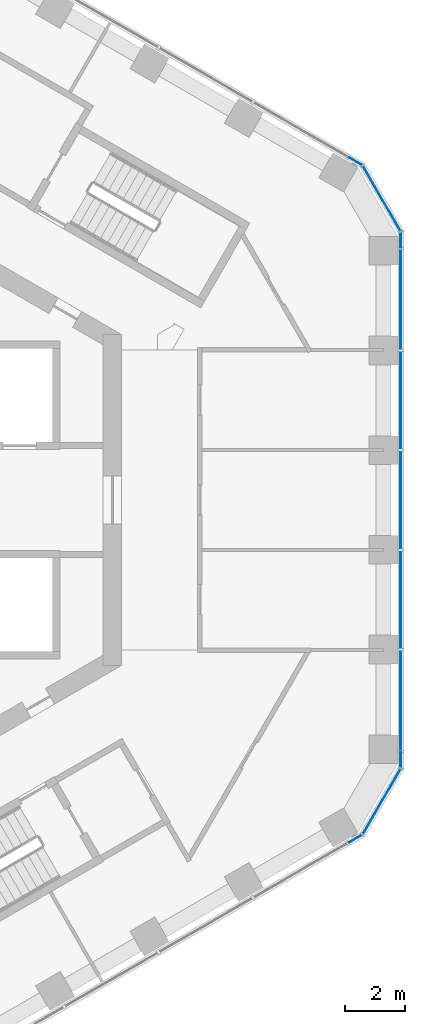
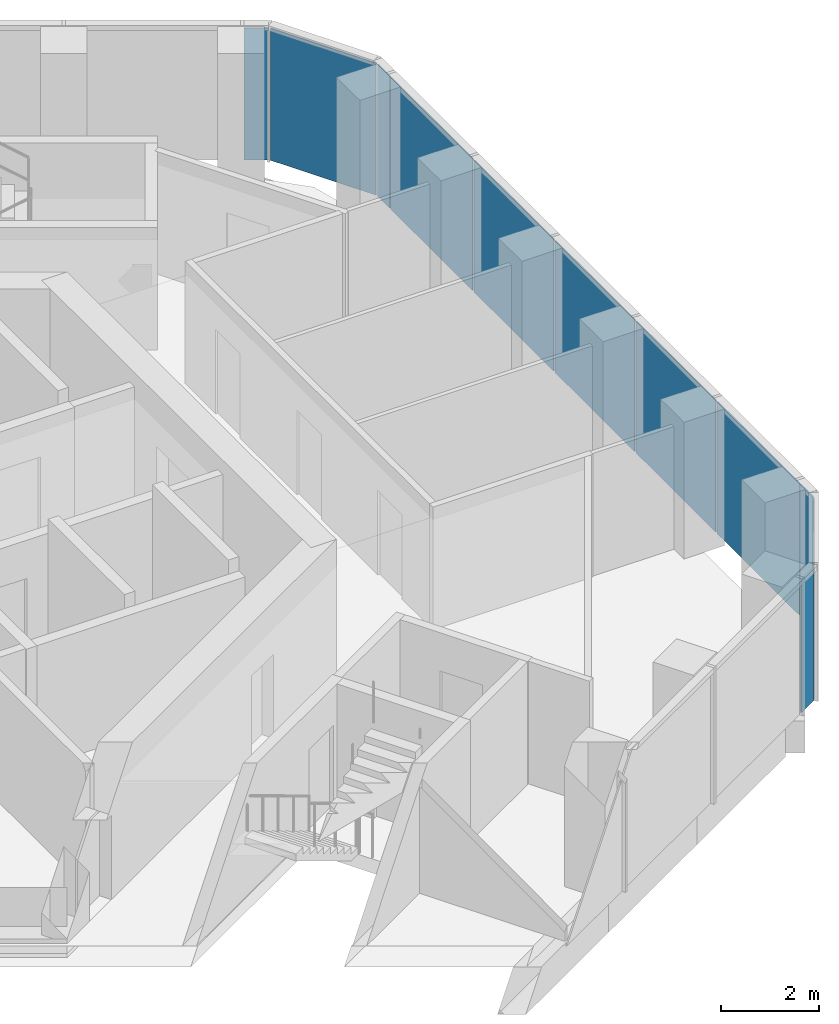
# One storey, part 11 of 18: 11 plates, 3 elements without a shape of their own.
"""IFC4 building model written with IfcOpenShell, lengths in metres."""

import ifcopenshell
import ifcopenshell.guid

model = None  # the IFC model being written
_history = None  # IfcOwnerHistory: only IFC2X3 demands one
_inside = {}  # id of a spatial element -> (the spatial element, [elements in it])
_under = {}  # id of a project, library or spatial element -> (it, [spatial elements below it])
_declared = {}  # id of a project -> (the project, [libraries it declares])
_typed = {}  # id of a type object -> (the type object, [elements of that type])
_made_of = {}  # id of a material, layer set ... -> (it, [elements and type objects made of it])


def new_model(schema):
    """Start an empty IFC model of exactly this schema.

    Asked for "IFC4X3", IfcOpenShell would pick the latest addendum, in which some entities
    have other attributes; the version numbers below select the first issue.
    IFC2X3 requires an IfcOwnerHistory on every rooted entity: one is made here for all.
    """
    global model, _history
    if schema == "IFC4X3":
        model = ifcopenshell.file(schema_version=(4, 3, 0, 0))
    else:
        model = ifcopenshell.file(schema=schema)
    _inside.clear()
    _under.clear()
    _declared.clear()
    _typed.clear()
    _made_of.clear()
    _history = None
    if model.schema == "IFC2X3":
        org = make("IfcOrganization", Name="unknown")
        user = make(
            "IfcPersonAndOrganization",
            ThePerson=make("IfcPerson", FamilyName="unknown"),
            TheOrganization=org,
        )
        app = make(
            "IfcApplication",
            ApplicationDeveloper=org,
            Version="unknown",
            ApplicationFullName="unknown",
            ApplicationIdentifier="unknown",
        )
        _history = make(
            "IfcOwnerHistory",
            OwningUser=user,
            OwningApplication=app,
            ChangeAction="ADDED",
            CreationDate=0,
        )
    return model


def make(cls, **values):
    """One entity of the class cls with the attributes given. An attribute that is None is left unset."""
    return model.create_entity(
        cls, **{name: value for name, value in values.items() if value is not None}
    )


def rooted(cls, **values):
    """An entity with a GlobalId (a new one), such as an element, a storey or a relation."""
    return make(cls, GlobalId=ifcopenshell.guid.new(), OwnerHistory=_history, **values)


def si_unit(unit_type, name, prefix=None):
    """IfcSIUnit, for example si_unit("LENGTHUNIT", "METRE", prefix="MILLI")."""
    return make("IfcSIUnit", UnitType=unit_type, Prefix=prefix, Name=name)


def assignment(units):
    """IfcUnitAssignment: the units of a project."""
    return None if units is None else make("IfcUnitAssignment", Units=units)


def point(xyz):
    """IfcCartesianPoint."""
    return None if xyz is None else make("IfcCartesianPoint", Coordinates=xyz)


def direction(xyz):
    """IfcDirection."""
    return None if xyz is None else make("IfcDirection", DirectionRatios=xyz)


def frame(location, z_axis=None, x_axis=None):
    """IfcAxis2Placement3D, a coordinate frame: its origin and axes. An axis left out is left unset."""
    return make(
        "IfcAxis2Placement3D",
        Location=point(location),
        Axis=direction(z_axis),
        RefDirection=direction(x_axis),
    )


def frame_2d(location, x_axis=None):
    """IfcAxis2Placement2D, a coordinate frame in the plane: its origin and x axis."""
    return make(
        "IfcAxis2Placement2D", Location=point(location), RefDirection=direction(x_axis)
    )


def origin():
    """The frame at (0, 0, 0) with its axes left unset."""
    return frame((0.0, 0.0, 0.0))


def origin_2d():
    """The frame at (0, 0) in the plane with its x axis left unset."""
    return frame_2d((0.0, 0.0))


def place(relative_to, where):
    """IfcLocalPlacement: puts the frame where relative to a parent placement (None: the world)."""
    return make(
        "IfcLocalPlacement", PlacementRelTo=relative_to, RelativePlacement=where
    )


def context(
    kind, dimensions, precision=None, world=None, true_north=None, identifier=None
):
    """IfcGeometricRepresentationContext, for example the 3D "Model" context."""
    return make(
        "IfcGeometricRepresentationContext",
        ContextIdentifier=identifier,
        ContextType=kind,
        CoordinateSpaceDimension=dimensions,
        Precision=precision,
        WorldCoordinateSystem=world,
        TrueNorth=true_north,
    )


def subcontext(parent, identifier, kind, view, scale=None):
    """IfcGeometricRepresentationSubContext, for example "Body" below "Model"."""
    return make(
        "IfcGeometricRepresentationSubContext",
        ContextIdentifier=identifier,
        ContextType=kind,
        ParentContext=parent,
        TargetScale=scale,
        TargetView=view,
    )


def project(units=None, contexts=None):
    """IfcProject with its units and contexts."""
    return rooted(
        "IfcProject",
        Name="project",
        RepresentationContexts=contexts,
        UnitsInContext=assignment(units),
    )


def spatial(cls, under=None, at=None, **own):
    """A site, building, storey or space (cls), placed at a placement, below another one or the project."""
    s = rooted(cls, ObjectPlacement=at, **own)
    if under is not None:
        _under.setdefault(under.id(), (under, []))[1].append(s)
    return s


def profile(cls, at=None, kind="AREA", **sizes):
    """A parametric profile (cls). Its sizes go by their IFC names, for example OverallWidth=200.0."""
    return make(cls, ProfileType=kind, Position=at, **sizes)


def rectangle(**sizes):
    """IfcRectangleProfileDef."""
    return profile("IfcRectangleProfileDef", **sizes)


def extrude(swept, where, along, depth):
    """IfcExtrudedAreaSolid: the profile swept, set in the frame where, extruded along a direction by depth."""
    return make(
        "IfcExtrudedAreaSolid",
        SweptArea=swept,
        Position=where,
        ExtrudedDirection=direction(along),
        Depth=depth,
    )


def shape(context_of_items, identifier, shape_type, items):
    """IfcShapeRepresentation: the items that make up one representation, for example the "Body"."""
    return make(
        "IfcShapeRepresentation",
        ContextOfItems=context_of_items,
        RepresentationIdentifier=identifier,
        RepresentationType=shape_type,
        Items=items,
    )


def material(Name=None, Category=None):
    """IfcMaterial."""
    return make("IfcMaterial", Name=Name, Category=Category)


def layer(
    of_material, thickness, ventilated=None, Name=None, Category=None, Priority=None
):
    """IfcMaterialLayer: one layer of a wall or slab, of a material (None: an air gap)."""
    return make(
        "IfcMaterialLayer",
        Material=of_material,
        LayerThickness=thickness,
        IsVentilated=ventilated,
        Name=Name,
        Category=Category,
        Priority=Priority,
    )


def layer_set(layers, Name=None):
    """IfcMaterialLayerSet."""
    return make("IfcMaterialLayerSet", MaterialLayers=layers, LayerSetName=Name)


def made_of(thing, what):
    """Note that an element or type object is made of a material, layer set ...; save() writes the relation."""
    if what is not None:
        _made_of.setdefault(what.id(), (what, []))[1].append(thing)
    return thing


def type_object(cls, material=None, **own):
    """A type object (cls), such as IfcWallType, which elements share."""
    return made_of(rooted(cls, **own), material)


def element(
    cls,
    number,
    at=None,
    inside=None,
    cuts=None,
    type_object=None,
    material=None,
    context=None,
    identifier="Body",
    shape_type=None,
    held_by="IfcProductDefinitionShape",
    body=None,
    shapes=None,
    **own,
):
    """One element of the class cls, such as IfcWall. Its Tag is "e" and its number.

    at: its placement. inside: the storey or other place that contains it. cuts: it is an
    opening in that element (IfcRelVoidsElement). A single representation is given by context,
    identifier, shape_type and body (its items); several are given by shapes. held_by: the class
    of the entity that holds the representations. save() writes the other relations.
    """
    e = rooted(cls, Tag="e%d" % number, ObjectPlacement=at, **own)
    if body is not None:
        shapes = [shape(context, identifier, shape_type, body)]
    if shapes is not None:
        e.Representation = make(held_by, Representations=shapes)
    if inside is not None:
        _inside.setdefault(inside.id(), (inside, []))[1].append(e)
    if cuts is not None:
        rooted(
            "IfcRelVoidsElement", RelatingBuildingElement=cuts, RelatedOpeningElement=e
        )
    if type_object is not None:
        _typed.setdefault(type_object.id(), (type_object, []))[1].append(e)
    return made_of(e, material)


def aggregate(whole, parts):
    """IfcRelAggregates: a whole, such as a stair, and the parts it consists of."""
    return rooted("IfcRelAggregates", RelatingObject=whole, RelatedObjects=parts)


def save(model, path):
    """Write the relations noted so far, then the file.

    IfcRelAggregates (storeys below a building ...), IfcRelContainedInSpatialStructure (elements
    in a storey), IfcRelDefinesByType, IfcRelAssociatesMaterial and IfcRelDeclares: one each for
    every whole, place, type object, material and project.
    """
    for whole, parts in _under.values():
        aggregate(whole, parts)
    for where, things in _inside.values():
        rooted(
            "IfcRelContainedInSpatialStructure",
            RelatedElements=things,
            RelatingStructure=where,
        )
    for kind, things in _typed.values():
        rooted("IfcRelDefinesByType", RelatedObjects=things, RelatingType=kind)
    for what, things in _made_of.values():
        rooted("IfcRelAssociatesMaterial", RelatedObjects=things, RelatingMaterial=what)
    for by, libraries in _declared.values():
        rooted("IfcRelDeclares", RelatingContext=by, RelatedDefinitions=libraries)
    model.write(path)


model = new_model("IFC4")

# Units and contexts
model_context = context("Model", 3, precision=1e-05, world=origin(), true_north=direction((0.0, 1.0)))
body_context = subcontext(model_context, "Body", "Model", "MODEL_VIEW")
ifc_project = project(units=[si_unit("LENGTHUNIT", "METRE"), si_unit("AREAUNIT", "SQUARE_METRE"), si_unit("VOLUMEUNIT", "CUBIC_METRE"), si_unit("PLANEANGLEUNIT", "RADIAN"), si_unit("MASSUNIT", "GRAM", prefix="KILO")], contexts=[model_context])

# Site, building, storey
site_placement = place(None, origin())
site = spatial("IfcSite", under=ifc_project, at=site_placement, CompositionType="ELEMENT")
building_placement = place(site_placement, origin())
building = spatial("IfcBuilding", under=site, at=building_placement, Name="Ayvan Gate Tower", CompositionType="ELEMENT")
storey_placement = place(building_placement, frame((0.0, 0.0, 176.5)))
storey = spatial("IfcBuildingStorey", under=building, at=storey_placement, Name="L47", CompositionType="ELEMENT", Elevation=176.5)

# Curtain wall, plates
ifc_material_1 = material(Name="Bronze anodised aluminium", Category="aluminium")
ifc_layer_1 = layer(ifc_material_1, 0.199951171875)
ifc_layer_set_1 = layer_set([ifc_layer_1], Name="Bronze anodised aluminium")
curtain_wall_type_1 = type_object("IfcCurtainWallType", Name="Stick curtain wall CW-2", PredefinedType="NOTDEFINED", material=ifc_layer_set_1)
curtain_wall_1_placement = place(storey_placement, origin())
curtain_wall_1 = element("IfcCurtainWall", 1, at=curtain_wall_1_placement, inside=storey, type_object=curtain_wall_type_1, Name="Stick curtain wall CW-2 L47", PredefinedType="NOTDEFINED")
ifc_material_2 = material(Name="Clear low-iron laminated glass", Category="glass")
ifc_layer_2 = layer(ifc_material_2, 0.028076171875)
ifc_layer_set_2 = layer_set([ifc_layer_2], Name="Clear low-iron laminated glass")
plate_type_1 = type_object("IfcPlateType", Name="Stick curtain wall CW-2 glass panel", PredefinedType="CURTAIN_PANEL", material=ifc_layer_set_2)
plate_1_placement = place(storey_placement, frame((18.761474609375, -6.657958984375, 0.0), z_axis=(0.0, 0.0, 1.0), x_axis=(0.0, 1.0, 0.0)))
plate_1 = element("IfcPlate", 2, at=plate_1_placement, type_object=plate_type_1, Name="CW-2 glass panel 1", PredefinedType="CURTAIN_PANEL", context=body_context, shape_type="SweptSolid", body=[
    extrude(rectangle(XDim=3.342041015625, YDim=0.028076171875, at=origin_2d()), origin(), (0.0, 0.0, 1.0), 3.280029296875),
])
plate_2_placement = place(storey_placement, frame((18.761474609375, -3.301513671875, 0.0), z_axis=(0.0, 0.0, 1.0), x_axis=(0.0, 1.0, 0.0)))
plate_2 = element("IfcPlate", 3, at=plate_2_placement, type_object=plate_type_1, Name="CW-2 glass panel 2", PredefinedType="CURTAIN_PANEL", context=body_context, shape_type="SweptSolid", body=[
    extrude(rectangle(XDim=3.23095703125, YDim=0.028076171875, at=origin_2d()), origin(), (0.0, 0.0, 1.0), 3.280029296875),
])
plate_3_placement = place(storey_placement, frame((18.761474609375, 0.0, 0.0), z_axis=(0.0, 0.0, 1.0), x_axis=(0.0, 1.0, 0.0)))
plate_3 = element("IfcPlate", 4, at=plate_3_placement, type_object=plate_type_1, Name="CW-2 glass panel 3", PredefinedType="CURTAIN_PANEL", context=body_context, shape_type="SweptSolid", body=[
    extrude(rectangle(XDim=3.23193359375, YDim=0.028076171875, at=origin_2d()), origin(), (0.0, 0.0, 1.0), 3.280029296875),
])
plate_4_placement = place(storey_placement, frame((18.761474609375, 3.301513671875, 0.0), z_axis=(0.0, 0.0, 1.0), x_axis=(0.0, 1.0, 0.0)))
plate_4 = element("IfcPlate", 5, at=plate_4_placement, type_object=plate_type_1, Name="CW-2 glass panel 4", PredefinedType="CURTAIN_PANEL", context=body_context, shape_type="SweptSolid", body=[
    extrude(rectangle(XDim=3.23095703125, YDim=0.028076171875, at=origin_2d()), origin(), (0.0, 0.0, 1.0), 3.280029296875),
])
plate_5_placement = place(storey_placement, frame((18.761474609375, 6.657958984375, 0.0), z_axis=(0.0, 0.0, 1.0), x_axis=(0.0, 1.0, 0.0)))
plate_5 = element("IfcPlate", 6, at=plate_5_placement, type_object=plate_type_1, Name="CW-2 glass panel 5", PredefinedType="CURTAIN_PANEL", context=body_context, shape_type="SweptSolid", body=[
    extrude(rectangle(XDim=3.341796875, YDim=0.028076171875, at=origin_2d()), origin(), (0.0, 0.0, 1.0), 3.280029296875),
])
aggregate(curtain_wall_1, [plate_1, plate_2, plate_3, plate_4, plate_5])

ifc_layer_3 = layer(ifc_material_1, 0.199951171875)
ifc_layer_set_3 = layer_set([ifc_layer_3], Name="Bronze anodised aluminium")
curtain_wall_type_2 = type_object("IfcCurtainWallType", Name="Stick curtain wall CW-6", PredefinedType="NOTDEFINED", material=ifc_layer_set_3)
curtain_wall_2_placement = place(storey_placement, origin())
curtain_wall_2 = element("IfcCurtainWall", 7, at=curtain_wall_2_placement, inside=storey, type_object=curtain_wall_type_2, Name="Stick curtain wall CW-6 L47", PredefinedType="NOTDEFINED")
ifc_layer_4 = layer(ifc_material_2, 0.028076171875)
ifc_layer_set_4 = layer_set([ifc_layer_4], Name="Clear low-iron laminated glass")
plate_type_2 = type_object("IfcPlateType", Name="Stick curtain wall CW-6 glass panel", PredefinedType="CURTAIN_PANEL", material=ifc_layer_set_4)
plate_6_placement = place(storey_placement, frame((17.256103515625, -11.221435546875, 0.0), z_axis=(0.0, 0.0, 1.0), x_axis=(0.866025403784, 0.5, 0.0)))
plate_6 = element("IfcPlate", 8, at=plate_6_placement, type_object=plate_type_2, Name="CW-6 glass panel 1", PredefinedType="CURTAIN_PANEL", context=body_context, shape_type="SweptSolid", body=[
    extrude(rectangle(XDim=0.5, YDim=0.028076171875, at=origin_2d()), origin(), (0.0, 0.0, 1.0), 3.280029296875),
])
plate_7_placement = place(storey_placement, frame((18.1279296875, -9.986328125, 0.0), z_axis=(0.0, 0.0, 1.0), x_axis=(0.5, 0.866025403784, 0.0)))
plate_7 = element("IfcPlate", 9, at=plate_7_placement, type_object=plate_type_2, Name="CW-6 glass panel 2", PredefinedType="CURTAIN_PANEL", context=body_context, shape_type="SweptSolid", body=[
    extrude(rectangle(XDim=2.484619140625, YDim=0.028076171875, at=origin_2d()), origin(), (0.0, 0.0, 1.0), 3.280029296875),
])
plate_8_placement = place(storey_placement, frame((18.761474609375, -8.614013671875, 0.0), z_axis=(0.0, 0.0, 1.0), x_axis=(0.0, 1.0, 0.0)))
plate_8 = element("IfcPlate", 10, at=plate_8_placement, type_object=plate_type_2, Name="CW-6 glass panel 3", PredefinedType="CURTAIN_PANEL", context=body_context, shape_type="SweptSolid", body=[
    extrude(rectangle(XDim=0.5, YDim=0.028076171875, at=origin_2d()), origin(), (0.0, 0.0, 1.0), 3.280029296875),
])
aggregate(curtain_wall_2, [plate_6, plate_7, plate_8])

curtain_wall_3_placement = place(storey_placement, origin())
curtain_wall_3 = element("IfcCurtainWall", 11, at=curtain_wall_3_placement, inside=storey, type_object=curtain_wall_type_2, Name="Stick curtain wall CW-6 L47", PredefinedType="NOTDEFINED")
plate_9_placement = place(storey_placement, frame((18.761474609375, 8.614013671875, 0.0), z_axis=(0.0, 0.0, 1.0), x_axis=(0.0, 1.0, 0.0)))
plate_9 = element("IfcPlate", 12, at=plate_9_placement, type_object=plate_type_2, Name="CW-6 glass panel 1", PredefinedType="CURTAIN_PANEL", context=body_context, shape_type="SweptSolid", body=[
    extrude(rectangle(XDim=0.5, YDim=0.028076171875, at=origin_2d()), origin(), (0.0, 0.0, 1.0), 3.280029296875),
])
plate_10_placement = place(storey_placement, frame((18.1279296875, 9.986328125, 0.0), z_axis=(0.0, 0.0, 1.0), x_axis=(-0.5, 0.866025403784, 0.0)))
plate_10 = element("IfcPlate", 13, at=plate_10_placement, type_object=plate_type_2, Name="CW-6 glass panel 2", PredefinedType="CURTAIN_PANEL", context=body_context, shape_type="SweptSolid", body=[
    extrude(rectangle(XDim=2.484619140625, YDim=0.028076171875, at=origin_2d()), origin(), (0.0, 0.0, 1.0), 3.280029296875),
])
plate_11_placement = place(storey_placement, frame((17.256103515625, 11.221435546875, 0.0), z_axis=(0.0, 0.0, 1.0), x_axis=(-0.866025403784, 0.5, 0.0)))
plate_11 = element("IfcPlate", 14, at=plate_11_placement, type_object=plate_type_2, Name="CW-6 glass panel 3", PredefinedType="CURTAIN_PANEL", context=body_context, shape_type="SweptSolid", body=[
    extrude(rectangle(XDim=0.5, YDim=0.028076171875, at=origin_2d()), origin(), (0.0, 0.0, 1.0), 3.280029296875),
])
aggregate(curtain_wall_3, [plate_9, plate_10, plate_11])

save(model, "model.ifc")
